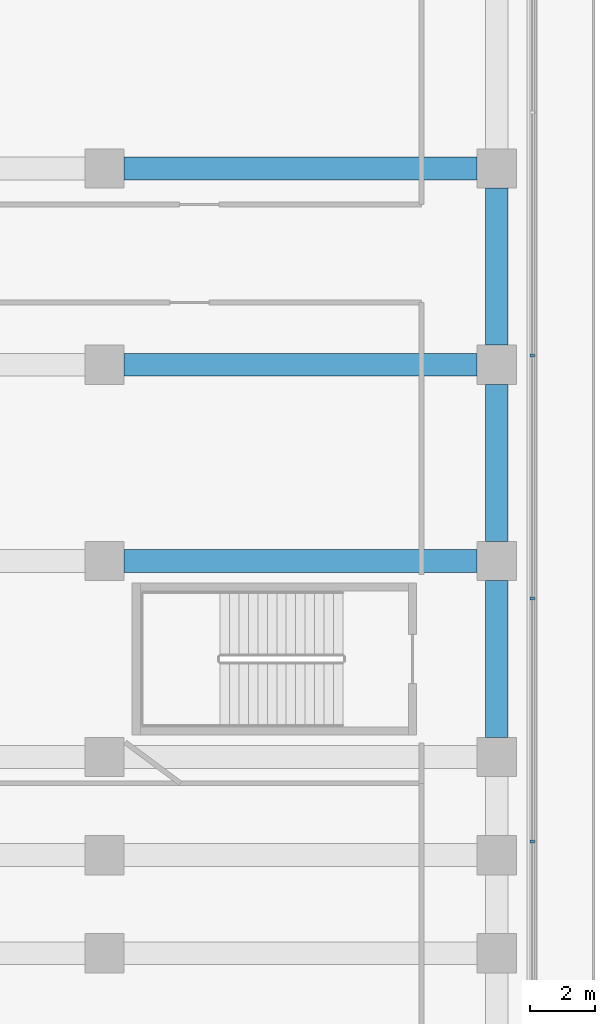
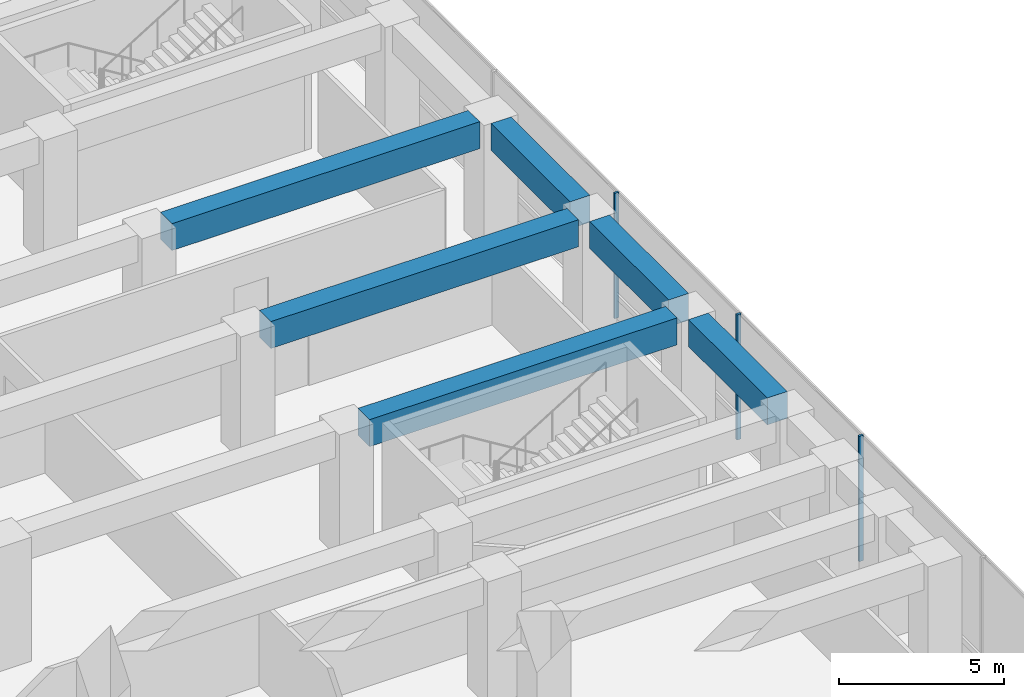
# One storey, part 14 of 40: 6 beams, 3 members, 1 element without a shape of its own.
"""IFC4 building model written with IfcOpenShell, lengths in metres."""

from ifc_helpers import new_model, si_unit, direction, frame, origin, origin_2d, place, context, subcontext, project, spatial, rectangle, extrude, material, layer, layer_set, material_profile, profile_set, type_object, element, aggregate, save


model = new_model("IFC4")

# Units and contexts
model_context = context("Model", 3, precision=1e-05, world=origin(), true_north=direction((0.0, 1.0)))
body_context = subcontext(model_context, "Body", "Model", "MODEL_VIEW")
ifc_project = project(units=[si_unit("LENGTHUNIT", "METRE"), si_unit("AREAUNIT", "SQUARE_METRE"), si_unit("VOLUMEUNIT", "CUBIC_METRE"), si_unit("PLANEANGLEUNIT", "RADIAN"), si_unit("MASSUNIT", "GRAM", prefix="KILO")], contexts=[model_context])

# Site, building, storey
site_placement = place(None, origin())
site = spatial("IfcSite", under=ifc_project, at=site_placement, CompositionType="ELEMENT")
building_placement = place(site_placement, origin())
building = spatial("IfcBuilding", under=site, at=building_placement, Name="Welwitschia Terrace Campus", CompositionType="ELEMENT")
storey_placement = place(building_placement, frame((0.0, 0.0, 6.0)))
storey = spatial("IfcBuildingStorey", under=building, at=storey_placement, Name="L01", CompositionType="ELEMENT", Elevation=6.0)

# Beams
ifc_material_1 = material(Name="Concrete C60/75", Category="concrete")
ifc_material_profile_1 = material_profile(ifc_material_1, rectangle(XDim=0.699951171875, YDim=1.0, at=origin_2d()))
ifc_profile_set_1 = profile_set([ifc_material_profile_1], Name="Concrete C60/75")
beam_type = type_object("IfcBeamType", Name="Base block beam 700x1000", PredefinedType="BEAM", material=ifc_profile_set_1)
for number, where, z_axis, x_axis, name in (
    (1, (84.6005859375, 20.0, 4.10009765625), (1.0, 0.0, 0.0), (0.0, 1.0, 0.0), "Beam BB1"),
    (2, (84.6005859375, 26.0, 4.10009765625), (1.0, 0.0, 0.0), (0.0, 1.0, 0.0), "Beam BB1"),
    (3, (84.6005859375, 32.0, 4.10009765625), (1.0, 0.0, 0.0), (0.0, 1.0, 0.0), "Beam BB1"),
):
    element("IfcBeam", number, at=place(storey_placement, frame(where, z_axis=z_axis, x_axis=x_axis)), inside=storey, type_object=beam_type, Name=name, PredefinedType="BEAM", context=body_context, shape_type="SweptSolid", body=[
        extrude(rectangle(XDim=0.699951171875, YDim=1.0, at=origin_2d()), origin(), (0.0, 0.0, 1.0), 10.798828125),
    ])
for number, where, z_axis, x_axis, name in (
    (4, (96.0, 14.6005859375, 4.10009765625), (0.0, 1.0, 0.0), (-1.0, 0.0, 0.0), "Beam BB1"),
    (5, (96.0, 20.6005859375, 4.10009765625), (0.0, 1.0, 0.0), (-1.0, 0.0, 0.0), "Beam BB1"),
    (6, (96.0, 26.6005859375, 4.10009765625), (0.0, 1.0, 0.0), (-1.0, 0.0, 0.0), "Beam BB1"),
):
    element("IfcBeam", number, at=place(storey_placement, frame(where, z_axis=z_axis, x_axis=x_axis)), inside=storey, type_object=beam_type, Name=name, PredefinedType="BEAM", context=body_context, shape_type="SweptSolid", body=[
        extrude(rectangle(XDim=0.699951171875, YDim=1.0, at=origin_2d()), origin(), (0.0, 0.0, 1.0), 4.798828125),
    ])

# Curtain wall, members
ifc_material_2 = material(Name="Bronze anodised aluminium", Category="aluminium")
ifc_layer = layer(ifc_material_2, 0.14990234375)
ifc_layer_set = layer_set([ifc_layer], Name="Bronze anodised aluminium")
curtain_wall_type = type_object("IfcCurtainWallType", Name="Curtain wall CW1 podium 7500", PredefinedType="NOTDEFINED", material=ifc_layer_set)
curtain_wall_placement = place(storey_placement, origin())
curtain_wall = element("IfcCurtainWall", 7, at=curtain_wall_placement, inside=storey, type_object=curtain_wall_type, Name="CW L01.2.0", PredefinedType="NOTDEFINED")
ifc_material_3 = material(Name="Bronze anodised aluminium", Category="aluminium")
ifc_material_profile_2 = material_profile(ifc_material_3, rectangle(XDim=0.14990234375, YDim=0.080078125, at=origin_2d()))
ifc_profile_set_2 = profile_set([ifc_material_profile_2], Name="Bronze anodised aluminium")
member_type = type_object("IfcMemberType", Name="Mullion 80x150", PredefinedType="MULLION", material=ifc_profile_set_2)
member_1_placement = place(storey_placement, frame((97.0849609375, 11.4169921875, 0.0), z_axis=(0.0, 0.0, 1.0), x_axis=(-1.0, 0.0, 0.0)))
member_1 = element("IfcMember", 8, at=member_1_placement, type_object=member_type, Name="Mullion L01.2.0.2", PredefinedType="MULLION", context=body_context, shape_type="SweptSolid", body=[
    extrude(rectangle(XDim=0.14990234375, YDim=0.080078125, at=origin_2d()), origin(), (0.0, 0.0, 1.0), 4.64990234375),
])
member_2_placement = place(storey_placement, frame((97.0849609375, 18.85009765625, 0.0), z_axis=(0.0, 0.0, 1.0), x_axis=(-1.0, 0.0, 0.0)))
member_2 = element("IfcMember", 9, at=member_2_placement, type_object=member_type, Name="Mullion L01.2.0.3", PredefinedType="MULLION", context=body_context, shape_type="SweptSolid", body=[
    extrude(rectangle(XDim=0.14990234375, YDim=0.080078125, at=origin_2d()), origin(), (0.0, 0.0, 1.0), 4.64990234375),
])
member_3_placement = place(storey_placement, frame((97.0849609375, 26.283447265625, 0.0), z_axis=(0.0, 0.0, 1.0), x_axis=(-1.0, 0.0, 0.0)))
member_3 = element("IfcMember", 10, at=member_3_placement, type_object=member_type, Name="Mullion L01.2.0.4", PredefinedType="MULLION", context=body_context, shape_type="SweptSolid", body=[
    extrude(rectangle(XDim=0.14990234375, YDim=0.080078125, at=origin_2d()), origin(), (0.0, 0.0, 1.0), 4.64990234375),
])
aggregate(curtain_wall, [member_1, member_2, member_3])

save(model, "model.ifc")
